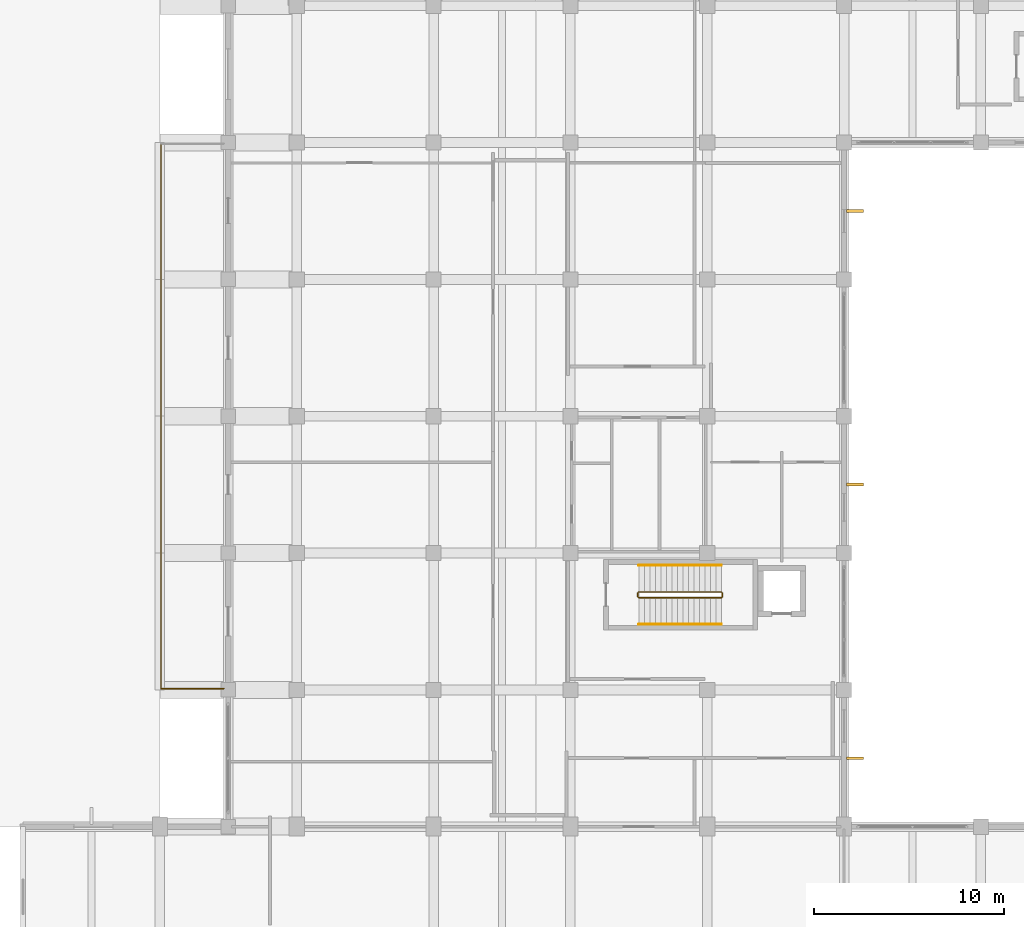
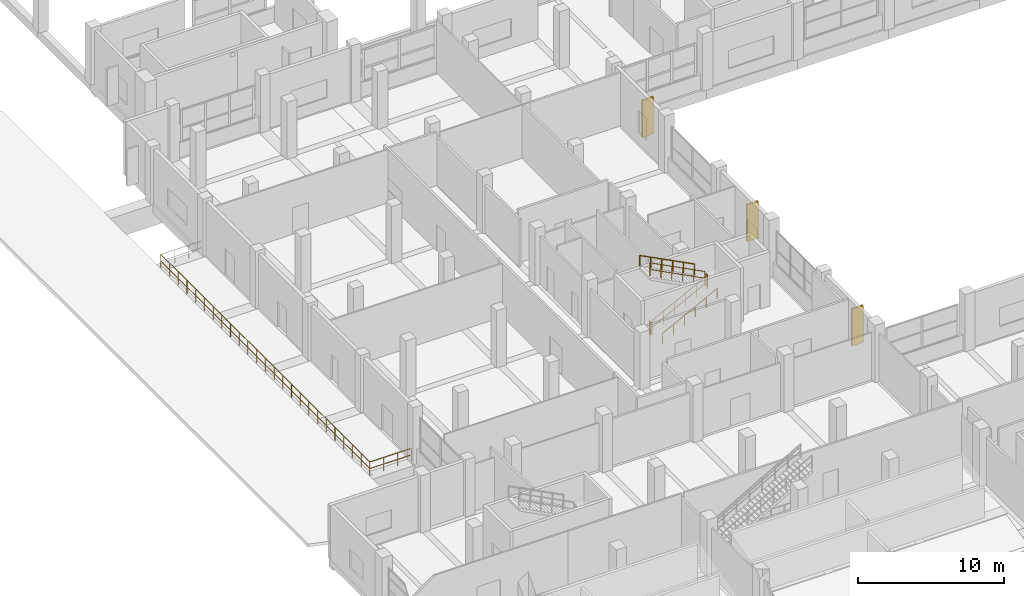
# One storey, part 134 of 140: 8 railings, 3 shading devices.
"""IFC4 building model written with IfcOpenShell, lengths in metres."""

from ifc_helpers import new_model, si_unit, direction, frame, origin, origin_2d, place, context, subcontext, project, spatial, rectangle, circle, extrude, material, type_object, element, save


model = new_model("IFC4")

# Units and contexts
model_context = context("Model", 3, precision=1e-05, world=origin(), true_north=direction((0.0, 1.0)))
body_context = subcontext(model_context, "Body", "Model", "MODEL_VIEW")
ifc_project = project(units=[si_unit("LENGTHUNIT", "METRE"), si_unit("AREAUNIT", "SQUARE_METRE"), si_unit("VOLUMEUNIT", "CUBIC_METRE"), si_unit("PLANEANGLEUNIT", "RADIAN"), si_unit("MASSUNIT", "GRAM", prefix="KILO")], contexts=[model_context])

# Site, building, storey
site_placement = place(None, origin())
site = spatial("IfcSite", under=ifc_project, at=site_placement, CompositionType="ELEMENT")
building_placement = place(site_placement, origin())
building = spatial("IfcBuilding", under=site, at=building_placement, Name="Seraya Terrace Polytechnic", CompositionType="ELEMENT")
storey_placement = place(building_placement, frame((0.0, 0.0, 9.60009765625)))
storey = spatial("IfcBuildingStorey", under=building, at=storey_placement, Name="L02", CompositionType="ELEMENT", Elevation=9.60009765625)

# Shading devices
ifc_material_1 = material(Name="Precast concrete C40/50", Category="concrete")
shading_device_type = type_object("IfcShadingDeviceType", Name="BS-F1", PredefinedType="JALOUSIE", material=ifc_material_1)
for number, where, z_axis, x_axis, name in (
    (1, (43.77001953125, 61.199951171875, 0.449951171875), (0.0, 0.0, 1.0), (1.0, 0.0, 0.0), "Precast concrete brise-soleil fin L02"),
    (2, (43.77001953125, 46.800048828125, 0.449951171875), (0.0, 0.0, 1.0), (1.0, 0.0, 0.0), "Precast concrete brise-soleil fin L02"),
    (3, (43.77001953125, 32.39990234375, 0.449951171875), (0.0, 0.0, 1.0), (1.0, 0.0, 0.0), "Precast concrete brise-soleil fin L02"),
):
    element("IfcShadingDevice", number, at=place(storey_placement, frame(where, z_axis=z_axis, x_axis=x_axis)), inside=storey, type_object=shading_device_type, Name=name, PredefinedType="JALOUSIE", context=body_context, shape_type="SweptSolid", body=[
        extrude(rectangle(XDim=0.89990234375, YDim=0.14990234375, at=origin_2d()), origin(), (0.0, 0.0, 1.0), 3.10009765625),
    ])

# Railings
ifc_material_2 = material(Name="Steel S355J2", Category="steel")
railing_type_1 = type_object("IfcRailingType", Name="GR-01", PredefinedType="GUARDRAIL", material=ifc_material_2)
railing_1_placement = place(storey_placement, frame((7.260009765625, 36.06005859375, 0.0)))
element("IfcRailing", 4, at=railing_1_placement, inside=storey, type_object=railing_type_1, Name="Terrace perimeter guardrail TERR-L02-W S1", PredefinedType="GUARDRAIL", context=body_context, shape_type="SweptSolid", body=[
    extrude(circle(Radius=0.02392578125, at=origin_2d()), frame((0.0, 0.0, 1.10595703125), z_axis=(1.0, 0.0, 0.0), x_axis=(0.0, 1.0, 0.0)), (0.0, 0.0, 1.0), 3.300048828125),
    extrude(circle(Radius=0.02392578125, at=origin_2d()), frame((0.0, 0.0, 0.550048828125), z_axis=(1.0, 0.0, 0.0), x_axis=(0.0, 1.0, 0.0)), (0.0, 0.0, 1.0), 3.300048828125),
    extrude(circle(Radius=0.02099609375, at=origin_2d()), origin(), (0.0, 0.0, 1.0), 1.081787109375),
    extrude(circle(Radius=0.02099609375, at=origin_2d()), frame((1.10009765625, 0.0, 0.0)), (0.0, 0.0, 1.0), 1.081787109375),
    extrude(circle(Radius=0.02099609375, at=origin_2d()), frame((2.199951171875, 0.0, 0.0)), (0.0, 0.0, 1.0), 1.081787109375),
    extrude(circle(Radius=0.02099609375, at=origin_2d()), frame((3.300048828125, 0.0, 0.0)), (0.0, 0.0, 1.0), 1.081787109375),
])
railing_2_placement = place(storey_placement, frame((7.260009765625, 64.739990234375, 0.0)))
element("IfcRailing", 5, at=railing_2_placement, inside=storey, type_object=railing_type_1, Name="Terrace perimeter guardrail TERR-L02-W W1", PredefinedType="GUARDRAIL", context=body_context, shape_type="SweptSolid", body=[
    extrude(circle(Radius=0.02392578125, at=origin_2d()), frame((0.0, 0.0, 1.10595703125), z_axis=(0.0, -1.0, 0.0), x_axis=(1.0, 0.0, 0.0)), (0.0, 0.0, 1.0), 28.679931640625),
    extrude(circle(Radius=0.02392578125, at=origin_2d()), frame((0.0, 0.0, 0.550048828125), z_axis=(0.0, -1.0, 0.0), x_axis=(1.0, 0.0, 0.0)), (0.0, 0.0, 1.0), 28.679931640625),
    extrude(circle(Radius=0.02099609375, at=origin_2d()), origin(), (0.0, 0.0, 1.0), 1.081787109375),
    extrude(circle(Radius=0.02099609375, at=origin_2d()), frame((0.0, -1.195068359375, 0.0)), (0.0, 0.0, 1.0), 1.081787109375),
    extrude(circle(Radius=0.02099609375, at=origin_2d()), frame((0.0, -2.389892578125, 0.0)), (0.0, 0.0, 1.0), 1.081787109375),
    extrude(circle(Radius=0.02099609375, at=origin_2d()), frame((0.0, -3.5849609375, 0.0)), (0.0, 0.0, 1.0), 1.081787109375),
    extrude(circle(Radius=0.02099609375, at=origin_2d()), frame((0.0, -4.780029296875, 0.0)), (0.0, 0.0, 1.0), 1.081787109375),
    extrude(circle(Radius=0.02099609375, at=origin_2d()), frame((0.0, -5.97509765625, 0.0)), (0.0, 0.0, 1.0), 1.081787109375),
    extrude(circle(Radius=0.02099609375, at=origin_2d()), frame((0.0, -7.169921875, 0.0)), (0.0, 0.0, 1.0), 1.081787109375),
    extrude(circle(Radius=0.02099609375, at=origin_2d()), frame((0.0, -8.364990234375, 0.0)), (0.0, 0.0, 1.0), 1.081787109375),
    extrude(circle(Radius=0.02099609375, at=origin_2d()), frame((0.0, -9.56005859375, 0.0)), (0.0, 0.0, 1.0), 1.081787109375),
    extrude(circle(Radius=0.02099609375, at=origin_2d()), frame((0.0, -10.7548828125, 0.0)), (0.0, 0.0, 1.0), 1.081787109375),
    extrude(circle(Radius=0.02099609375, at=origin_2d()), frame((0.0, -11.949951171875, 0.0)), (0.0, 0.0, 1.0), 1.081787109375),
    extrude(circle(Radius=0.02099609375, at=origin_2d()), frame((0.0, -13.14501953125, 0.0)), (0.0, 0.0, 1.0), 1.081787109375),
    extrude(circle(Radius=0.02099609375, at=origin_2d()), frame((0.0, -14.33984375, 0.0)), (0.0, 0.0, 1.0), 1.081787109375),
    extrude(circle(Radius=0.02099609375, at=origin_2d()), frame((0.0, -15.534912109375, 0.0)), (0.0, 0.0, 1.0), 1.081787109375),
    extrude(circle(Radius=0.02099609375, at=origin_2d()), frame((0.0, -16.72998046875, 0.0)), (0.0, 0.0, 1.0), 1.081787109375),
    extrude(circle(Radius=0.02099609375, at=origin_2d()), frame((0.0, -17.925048828125, 0.0)), (0.0, 0.0, 1.0), 1.081787109375),
    extrude(circle(Radius=0.02099609375, at=origin_2d()), frame((0.0, -19.119873046875, 0.0)), (0.0, 0.0, 1.0), 1.081787109375),
    extrude(circle(Radius=0.02099609375, at=origin_2d()), frame((0.0, -20.31494140625, 0.0)), (0.0, 0.0, 1.0), 1.081787109375),
    extrude(circle(Radius=0.02099609375, at=origin_2d()), frame((0.0, -21.510009765625, 0.0)), (0.0, 0.0, 1.0), 1.081787109375),
    extrude(circle(Radius=0.02099609375, at=origin_2d()), frame((0.0, -22.704833984375, 0.0)), (0.0, 0.0, 1.0), 1.081787109375),
    extrude(circle(Radius=0.02099609375, at=origin_2d()), frame((0.0, -23.89990234375, 0.0)), (0.0, 0.0, 1.0), 1.081787109375),
    extrude(circle(Radius=0.02099609375, at=origin_2d()), frame((0.0, -25.094970703125, 0.0)), (0.0, 0.0, 1.0), 1.081787109375),
    extrude(circle(Radius=0.02099609375, at=origin_2d()), frame((0.0, -26.2900390625, 0.0)), (0.0, 0.0, 1.0), 1.081787109375),
    extrude(circle(Radius=0.02099609375, at=origin_2d()), frame((0.0, -27.48486328125, 0.0)), (0.0, 0.0, 1.0), 1.081787109375),
    extrude(circle(Radius=0.02099609375, at=origin_2d()), frame((0.0, -28.679931640625, 0.0)), (0.0, 0.0, 1.0), 1.081787109375),
])
railing_type_2 = type_object("IfcRailingType", Name="GR-02", PredefinedType="GUARDRAIL", material=ifc_material_2)
railing_3_placement = place(storey_placement, frame((32.39990234375, 40.85009765625, 0.14990234375)))
element("IfcRailing", 6, at=railing_3_placement, inside=storey, type_object=railing_type_2, Name="L02 ST-04 stair guard 1", PredefinedType="GUARDRAIL", context=body_context, shape_type="SweptSolid", body=[
    extrude(circle(Radius=0.02392578125, at=origin_2d()), frame((0.0, 0.0, 1.10595703125), z_axis=(0.888221851817, 0.0, 0.459414782038), x_axis=(0.0, 1.0, 0.0)), (0.0, 0.0, 1.0), 4.8974609375),
    extrude(circle(Radius=0.02392578125, at=origin_2d()), frame((0.0, 0.0, 0.550048828125), z_axis=(0.888221851817, 0.0, 0.459414782038), x_axis=(0.0, 1.0, 0.0)), (0.0, 0.0, 1.0), 4.8974609375),
    extrude(circle(Radius=0.02099609375, at=origin_2d()), origin(), (0.0, 0.0, 1.0), 1.081787109375),
    extrude(circle(Radius=0.02099609375, at=origin_2d()), frame((0.8701171875, 0.0, 0.449951171875)), (0.0, 0.0, 1.0), 1.081787109375),
    extrude(circle(Radius=0.02099609375, at=origin_2d()), frame((1.739990234375, 0.0, 0.89990234375)), (0.0, 0.0, 1.0), 1.081787109375),
    extrude(circle(Radius=0.02099609375, at=origin_2d()), frame((2.610107421875, 0.0, 1.35009765625)), (0.0, 0.0, 1.0), 1.081787109375),
    extrude(circle(Radius=0.02099609375, at=origin_2d()), frame((3.47998046875, 0.0, 1.800048828125)), (0.0, 0.0, 1.0), 1.081787109375),
    extrude(circle(Radius=0.02099609375, at=origin_2d()), frame((4.35009765625, 0.0, 2.25)), (0.0, 0.0, 1.0), 1.081787109375),
])
railing_4_placement = place(storey_placement, frame((36.800048828125, 40.89990234375, 2.39990234375)))
element("IfcRailing", 7, at=railing_4_placement, inside=storey, type_object=railing_type_2, Name="L02 ST-04 stair guard 2", PredefinedType="GUARDRAIL", context=body_context, shape_type="SweptSolid", body=[
    extrude(circle(Radius=0.02392578125, at=origin_2d()), frame((0.0, 0.0, 1.10595703125), z_axis=(0.0, 1.0, 0.0), x_axis=(-1.0, 0.0, 0.0)), (0.0, 0.0, 1.0), 0.2001953125),
    extrude(circle(Radius=0.02392578125, at=origin_2d()), frame((0.0, 0.0, 0.550048828125), z_axis=(0.0, 1.0, 0.0), x_axis=(-1.0, 0.0, 0.0)), (0.0, 0.0, 1.0), 0.2001953125),
    extrude(circle(Radius=0.02099609375, at=origin_2d()), origin(), (0.0, 0.0, 1.0), 1.081787109375),
    extrude(circle(Radius=0.02099609375, at=origin_2d()), frame((0.0, 0.2001953125, 0.0)), (0.0, 0.0, 1.0), 1.081787109375),
])
railing_5_placement = place(storey_placement, frame((36.75, 41.14990234375, 2.5498046875)))
element("IfcRailing", 8, at=railing_5_placement, inside=storey, type_object=railing_type_2, Name="L02 ST-04 stair guard 3", PredefinedType="GUARDRAIL", context=body_context, shape_type="SweptSolid", body=[
    extrude(circle(Radius=0.02392578125, at=origin_2d()), frame((0.0, 0.0, 1.10595703125), z_axis=(-0.888221851817, 0.0, 0.459414782038), x_axis=(0.0, -1.0, 0.0)), (0.0, 0.0, 1.0), 4.8974609375),
    extrude(circle(Radius=0.02392578125, at=origin_2d()), frame((0.0, 0.0, 0.550048828125), z_axis=(-0.888221851817, 0.0, 0.459414782038), x_axis=(0.0, -1.0, 0.0)), (0.0, 0.0, 1.0), 4.8974609375),
    extrude(circle(Radius=0.02099609375, at=origin_2d()), origin(), (0.0, 0.0, 1.0), 1.081787109375),
    extrude(circle(Radius=0.02099609375, at=origin_2d()), frame((-0.8701171875, 0.0, 0.449951171875)), (0.0, 0.0, 1.0), 1.081787109375),
    extrude(circle(Radius=0.02099609375, at=origin_2d()), frame((-1.739990234375, 0.0, 0.89990234375)), (0.0, 0.0, 1.0), 1.081787109375),
    extrude(circle(Radius=0.02099609375, at=origin_2d()), frame((-2.610107421875, 0.0, 1.35009765625)), (0.0, 0.0, 1.0), 1.081787109375),
    extrude(circle(Radius=0.02099609375, at=origin_2d()), frame((-3.47998046875, 0.0, 1.800048828125)), (0.0, 0.0, 1.0), 1.081787109375),
    extrude(circle(Radius=0.02099609375, at=origin_2d()), frame((-4.35009765625, 0.0, 2.25)), (0.0, 0.0, 1.0), 1.081787109375),
])
railing_6_placement = place(storey_placement, frame((32.35009765625, 40.89990234375, 0.0)))
element("IfcRailing", 9, at=railing_6_placement, inside=storey, type_object=railing_type_2, Name="L02 ST-04 stair guard 4", PredefinedType="GUARDRAIL", context=body_context, shape_type="SweptSolid", body=[
    extrude(circle(Radius=0.02392578125, at=origin_2d()), frame((0.0, 0.0, 1.10595703125), z_axis=(0.0, 1.0, 0.0), x_axis=(-1.0, 0.0, 0.0)), (0.0, 0.0, 1.0), 0.2001953125),
    extrude(circle(Radius=0.02392578125, at=origin_2d()), frame((0.0, 0.0, 0.550048828125), z_axis=(0.0, 1.0, 0.0), x_axis=(-1.0, 0.0, 0.0)), (0.0, 0.0, 1.0), 0.2001953125),
    extrude(circle(Radius=0.02099609375, at=origin_2d()), origin(), (0.0, 0.0, 1.0), 1.081787109375),
    extrude(circle(Radius=0.02099609375, at=origin_2d()), frame((0.0, 0.2001953125, 0.0)), (0.0, 0.0, 1.0), 1.081787109375),
])
railing_type_3 = type_object("IfcRailingType", Name="HR-01", PredefinedType="HANDRAIL", material=ifc_material_2)
railing_7_placement = place(storey_placement, frame((32.39990234375, 39.449951171875, 0.14990234375)))
element("IfcRailing", 10, at=railing_7_placement, inside=storey, type_object=railing_type_3, Name="L02 ST-04 stair handrail 1", PredefinedType="HANDRAIL", context=body_context, shape_type="SweptSolid", body=[
    extrude(circle(Radius=0.02392578125, at=origin_2d()), frame((0.0, 0.0, 0.8759765625), z_axis=(0.888221851817, 0.0, 0.459414782038), x_axis=(0.0, 1.0, 0.0)), (0.0, 0.0, 1.0), 4.8974609375),
    extrude(circle(Radius=0.02099609375, at=origin_2d()), origin(), (0.0, 0.0, 1.0), 0.851806640625),
    extrude(circle(Radius=0.02099609375, at=origin_2d()), frame((0.8701171875, 0.0, 0.449951171875)), (0.0, 0.0, 1.0), 0.851806640625),
    extrude(circle(Radius=0.02099609375, at=origin_2d()), frame((1.739990234375, 0.0, 0.89990234375)), (0.0, 0.0, 1.0), 0.851806640625),
    extrude(circle(Radius=0.02099609375, at=origin_2d()), frame((2.610107421875, 0.0, 1.35009765625)), (0.0, 0.0, 1.0), 0.851806640625),
    extrude(circle(Radius=0.02099609375, at=origin_2d()), frame((3.47998046875, 0.0, 1.800048828125)), (0.0, 0.0, 1.0), 0.851806640625),
    extrude(circle(Radius=0.02099609375, at=origin_2d()), frame((4.35009765625, 0.0, 2.25)), (0.0, 0.0, 1.0), 0.851806640625),
])
railing_8_placement = place(storey_placement, frame((36.75, 42.550048828125, 2.5498046875)))
element("IfcRailing", 11, at=railing_8_placement, inside=storey, type_object=railing_type_3, Name="L02 ST-04 stair handrail 2", PredefinedType="HANDRAIL", context=body_context, shape_type="SweptSolid", body=[
    extrude(circle(Radius=0.02392578125, at=origin_2d()), frame((0.0, 0.0, 0.8759765625), z_axis=(-0.888221851817, 0.0, 0.459414782038), x_axis=(0.0, -1.0, 0.0)), (0.0, 0.0, 1.0), 4.8974609375),
    extrude(circle(Radius=0.02099609375, at=origin_2d()), origin(), (0.0, 0.0, 1.0), 0.851806640625),
    extrude(circle(Radius=0.02099609375, at=origin_2d()), frame((-0.8701171875, 0.0, 0.449951171875)), (0.0, 0.0, 1.0), 0.851806640625),
    extrude(circle(Radius=0.02099609375, at=origin_2d()), frame((-1.739990234375, 0.0, 0.89990234375)), (0.0, 0.0, 1.0), 0.851806640625),
    extrude(circle(Radius=0.02099609375, at=origin_2d()), frame((-2.610107421875, 0.0, 1.35009765625)), (0.0, 0.0, 1.0), 0.851806640625),
    extrude(circle(Radius=0.02099609375, at=origin_2d()), frame((-3.47998046875, 0.0, 1.800048828125)), (0.0, 0.0, 1.0), 0.851806640625),
    extrude(circle(Radius=0.02099609375, at=origin_2d()), frame((-4.35009765625, 0.0, 2.25)), (0.0, 0.0, 1.0), 0.851806640625),
])

save(model, "model.ifc")
